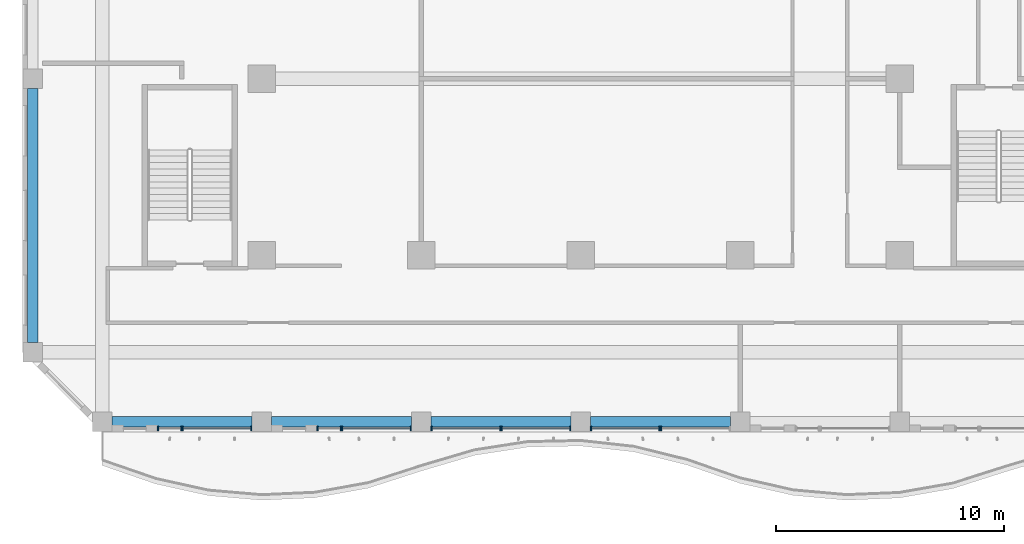
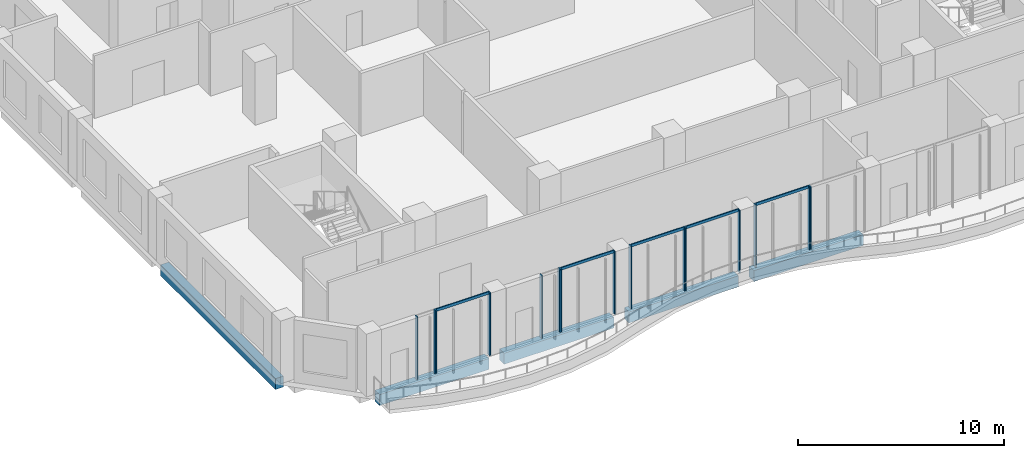
# One storey, part 2 of 26: 20 members, 5 beams, 8 elements without a shape of their own.
"""IFC4 building model written with IfcOpenShell, lengths in metres."""

from ifc_helpers import new_model, si_unit, direction, frame, origin, origin_2d, place, context, subcontext, project, spatial, rectangle, extrude, source, transform, mapped, material, material_profile, profile_set, type_object, element, aggregate, save


model = new_model("IFC4")

# Units and contexts
model_context = context("Model", 3, precision=1e-05, world=origin(), true_north=direction((0.0, 1.0)))
body_context = subcontext(model_context, "Body", "Model", "MODEL_VIEW")
ifc_project = project(units=[si_unit("LENGTHUNIT", "METRE"), si_unit("AREAUNIT", "SQUARE_METRE"), si_unit("VOLUMEUNIT", "CUBIC_METRE"), si_unit("PLANEANGLEUNIT", "RADIAN"), si_unit("MASSUNIT", "GRAM", prefix="KILO")], contexts=[model_context])

# Site, building, storey
site_placement = place(None, origin())
site = spatial("IfcSite", under=ifc_project, at=site_placement, CompositionType="ELEMENT")
building_placement = place(site_placement, origin())
building = spatial("IfcBuilding", under=site, at=building_placement, Name="Kilnfold Tower and Market Hall", CompositionType="ELEMENT")
storey_placement = place(building_placement, frame((0.0, 0.0, 104.60009765625)))
storey = spatial("IfcBuildingStorey", under=building, at=storey_placement, Name="L24", CompositionType="ELEMENT", Elevation=104.60009765625)

# Beams
ifc_material_1 = material(Name="Concrete C45", Category="concrete")
ifc_material_profile_1 = material_profile(ifc_material_1, rectangle(XDim=0.449951171875, YDim=0.64990234375, at=origin_2d()), Name="RC 450x650")
ifc_profile_set_1 = profile_set([ifc_material_profile_1], Name="Concrete C45")
beam_type = type_object("IfcBeamType", Name="EDGE BEAM 450X650 C45", PredefinedType="BEAM", material=ifc_profile_set_1)
shared_shape_1 = source(origin(), body_context, "Body", "SweptSolid", [
    extrude(rectangle(XDim=0.449951171875, YDim=0.64990234375, at=origin_2d()), origin(), (0.0, 0.0, 1.0), 6.14990234375),
])
for number, where, z_axis, x_axis, name in (
    (1, (-19.074951171875, -22.550048828125, -0.60498046875), (1.0, 0.0, 0.0), (0.0, 1.0, 0.0), "Beam EB650-B3.52"),
    (2, (-12.074951171875, -22.550048828125, -0.60498046875), (1.0, 0.0, 0.0), (0.0, 1.0, 0.0), "Beam EB650-B3.53"),
    (3, (-5.074951171875, -22.550048828125, -0.60498046875), (1.0, 0.0, 0.0), (0.0, 1.0, 0.0), "Beam EB650-B3.54"),
    (4, (1.925048828125, -22.550048828125, -0.60498046875), (1.0, 0.0, 0.0), (0.0, 1.0, 0.0), "Beam EB650-B3.55"),
):
    element("IfcBeam", number, at=place(storey_placement, frame(where, z_axis=z_axis, x_axis=x_axis)), inside=storey, type_object=beam_type, Name=name, PredefinedType="BEAM", context=body_context, shape_type="MappedRepresentation", body=[
        mapped(shared_shape_1, transform((0.0, 0.0, 0.0))),
    ])
shared_shape_2 = source(origin(), body_context, "Body", "SweptSolid", [
    extrude(rectangle(XDim=0.449951171875, YDim=0.64990234375, at=origin_2d()), origin(), (0.0, 0.0, 1.0), 11.14990234375),
])
beam_placement = place(storey_placement, frame((-22.550048828125, -19.074951171875, -0.60498046875), z_axis=(0.0, 1.0, 0.0), x_axis=(-1.0, 0.0, 0.0)))
element("IfcBeam", 5, at=beam_placement, inside=storey, type_object=beam_type, Name="Beam EB650-B3.74", PredefinedType="BEAM", context=body_context, shape_type="MappedRepresentation", body=[
    mapped(shared_shape_2, transform((0.0, 0.0, 0.0))),
])

# Curtain wall, members
ifc_material_2 = material(Name="Aluminium and double glazing", Category="aluminium")
curtain_wall_type = type_object("IfcCurtainWallType", Name="CW OF2 VALLEY GLAZING", PredefinedType="NOTDEFINED", material=ifc_material_2)
curtain_wall_1_placement = place(storey_placement, origin())
curtain_wall_1 = element("IfcCurtainWall", 6, at=curtain_wall_1_placement, inside=storey, type_object=curtain_wall_type, Name="Curtain wall CW2 L24 S", PredefinedType="NOTDEFINED")
ifc_material_3 = material(Name="Aluminium", Category="aluminium")
ifc_material_profile_2 = material_profile(ifc_material_3, rectangle(XDim=0.06005859375, YDim=0.199951171875, at=origin_2d()), Name="MULLION 60x200")
ifc_profile_set_2 = profile_set([ifc_material_profile_2], Name="Aluminium")
member_type_1 = type_object("IfcMemberType", Name="MULLION 60X200", PredefinedType="MULLION", material=ifc_profile_set_2)
shared_shape_3 = source(origin(), body_context, "Body", "SweptSolid", [
    extrude(rectangle(XDim=0.06005859375, YDim=0.199951171875, at=origin_2d()), origin(), (0.0, 0.0, 1.0), 3.719970703125),
])
member_1_placement = place(storey_placement, frame((-17.044921875, -22.85009765625, 0.0), z_axis=(0.0, 0.0, 1.0), x_axis=(1.0, 0.0, 0.0)))
member_1 = element("IfcMember", 7, at=member_1_placement, type_object=member_type_1, Name="CW2 mullion 1", PredefinedType="MULLION", context=body_context, shape_type="MappedRepresentation", body=[
    mapped(shared_shape_3, transform((0.0, 0.0, 0.0))),
])
member_2_placement = place(storey_placement, frame((-16.030029296875, -22.85009765625, 0.0), z_axis=(0.0, 0.0, 1.0), x_axis=(1.0, 0.0, 0.0)))
member_2 = element("IfcMember", 8, at=member_2_placement, type_object=member_type_1, Name="CW2 mullion 2", PredefinedType="MULLION", context=body_context, shape_type="MappedRepresentation", body=[
    mapped(shared_shape_3, transform((0.0, 0.0, 0.0))),
])
aggregate(curtain_wall_1, [member_1, member_2])

curtain_wall_2_placement = place(storey_placement, origin())
curtain_wall_2 = element("IfcCurtainWall", 9, at=curtain_wall_2_placement, inside=storey, type_object=curtain_wall_type, Name="Curtain wall CW2 L24 S", PredefinedType="NOTDEFINED")
member_3_placement = place(storey_placement, frame((-15.969970703125, -22.85009765625, 0.0), z_axis=(0.0, 0.0, 1.0), x_axis=(1.0, 0.0, 0.0)))
member_3 = element("IfcMember", 10, at=member_3_placement, type_object=member_type_1, Name="CW2 mullion 1", PredefinedType="MULLION", context=body_context, shape_type="MappedRepresentation", body=[
    mapped(shared_shape_3, transform((0.0, 0.0, 0.0))),
])
member_4_placement = place(storey_placement, frame((-12.955078125, -22.85009765625, 0.0), z_axis=(0.0, 0.0, 1.0), x_axis=(1.0, 0.0, 0.0)))
member_4 = element("IfcMember", 11, at=member_4_placement, type_object=member_type_1, Name="CW2 mullion 2", PredefinedType="MULLION", context=body_context, shape_type="MappedRepresentation", body=[
    mapped(shared_shape_3, transform((0.0, 0.0, 0.0))),
])

curtain_wall_3_placement = place(storey_placement, origin())
curtain_wall_3 = element("IfcCurtainWall", 12, at=curtain_wall_3_placement, inside=storey, type_object=curtain_wall_type, Name="Curtain wall CW2 L24 S", PredefinedType="NOTDEFINED")
member_5_placement = place(storey_placement, frame((-10.044921875, -22.85009765625, 0.0), z_axis=(0.0, 0.0, 1.0), x_axis=(1.0, 0.0, 0.0)))
member_5 = element("IfcMember", 13, at=member_5_placement, type_object=member_type_1, Name="CW2 mullion 1", PredefinedType="MULLION", context=body_context, shape_type="MappedRepresentation", body=[
    mapped(shared_shape_3, transform((0.0, 0.0, 0.0))),
])
member_6_placement = place(storey_placement, frame((-9.030029296875, -22.85009765625, 0.0), z_axis=(0.0, 0.0, 1.0), x_axis=(1.0, 0.0, 0.0)))
member_6 = element("IfcMember", 14, at=member_6_placement, type_object=member_type_1, Name="CW2 mullion 2", PredefinedType="MULLION", context=body_context, shape_type="MappedRepresentation", body=[
    mapped(shared_shape_3, transform((0.0, 0.0, 0.0))),
])
aggregate(curtain_wall_3, [member_5, member_6])

curtain_wall_4_placement = place(storey_placement, origin())
curtain_wall_4 = element("IfcCurtainWall", 15, at=curtain_wall_4_placement, inside=storey, type_object=curtain_wall_type, Name="Curtain wall CW2 L24 S", PredefinedType="NOTDEFINED")
member_7_placement = place(storey_placement, frame((-8.969970703125, -22.85009765625, 0.0), z_axis=(0.0, 0.0, 1.0), x_axis=(1.0, 0.0, 0.0)))
member_7 = element("IfcMember", 16, at=member_7_placement, type_object=member_type_1, Name="CW2 mullion 1", PredefinedType="MULLION", context=body_context, shape_type="MappedRepresentation", body=[
    mapped(shared_shape_3, transform((0.0, 0.0, 0.0))),
])
member_8_placement = place(storey_placement, frame((-5.955078125, -22.85009765625, 0.0), z_axis=(0.0, 0.0, 1.0), x_axis=(1.0, 0.0, 0.0)))
member_8 = element("IfcMember", 17, at=member_8_placement, type_object=member_type_1, Name="CW2 mullion 2", PredefinedType="MULLION", context=body_context, shape_type="MappedRepresentation", body=[
    mapped(shared_shape_3, transform((0.0, 0.0, 0.0))),
])

curtain_wall_5_placement = place(storey_placement, origin())
curtain_wall_5 = element("IfcCurtainWall", 18, at=curtain_wall_5_placement, inside=storey, type_object=curtain_wall_type, Name="Curtain wall CW2 L24 S", PredefinedType="NOTDEFINED")
member_9_placement = place(storey_placement, frame((-5.044921875, -22.85009765625, 0.0), z_axis=(0.0, 0.0, 1.0), x_axis=(1.0, 0.0, 0.0)))
member_9 = element("IfcMember", 19, at=member_9_placement, type_object=member_type_1, Name="CW2 mullion 1", PredefinedType="MULLION", context=body_context, shape_type="MappedRepresentation", body=[
    mapped(shared_shape_3, transform((0.0, 0.0, 0.0))),
])
member_10_placement = place(storey_placement, frame((-2.030029296875, -22.85009765625, 0.0), z_axis=(0.0, 0.0, 1.0), x_axis=(1.0, 0.0, 0.0)))
member_10 = element("IfcMember", 20, at=member_10_placement, type_object=member_type_1, Name="CW2 mullion 2", PredefinedType="MULLION", context=body_context, shape_type="MappedRepresentation", body=[
    mapped(shared_shape_3, transform((0.0, 0.0, 0.0))),
])

curtain_wall_6_placement = place(storey_placement, origin())
curtain_wall_6 = element("IfcCurtainWall", 21, at=curtain_wall_6_placement, inside=storey, type_object=curtain_wall_type, Name="Curtain wall CW2 L24 S", PredefinedType="NOTDEFINED")
member_11_placement = place(storey_placement, frame((-1.969970703125, -22.85009765625, 0.0), z_axis=(0.0, 0.0, 1.0), x_axis=(1.0, 0.0, 0.0)))
member_11 = element("IfcMember", 22, at=member_11_placement, type_object=member_type_1, Name="CW2 mullion 1", PredefinedType="MULLION", context=body_context, shape_type="MappedRepresentation", body=[
    mapped(shared_shape_3, transform((0.0, 0.0, 0.0))),
])
member_12_placement = place(storey_placement, frame((1.044921875, -22.85009765625, 0.0), z_axis=(0.0, 0.0, 1.0), x_axis=(1.0, 0.0, 0.0)))
member_12 = element("IfcMember", 23, at=member_12_placement, type_object=member_type_1, Name="CW2 mullion 2", PredefinedType="MULLION", context=body_context, shape_type="MappedRepresentation", body=[
    mapped(shared_shape_3, transform((0.0, 0.0, 0.0))),
])

curtain_wall_7_placement = place(storey_placement, origin())
curtain_wall_7 = element("IfcCurtainWall", 24, at=curtain_wall_7_placement, inside=storey, type_object=curtain_wall_type, Name="Curtain wall CW2 L24 S", PredefinedType="NOTDEFINED")
member_13_placement = place(storey_placement, frame((1.955078125, -22.85009765625, 0.0), z_axis=(0.0, 0.0, 1.0), x_axis=(1.0, 0.0, 0.0)))
member_13 = element("IfcMember", 25, at=member_13_placement, type_object=member_type_1, Name="CW2 mullion 1", PredefinedType="MULLION", context=body_context, shape_type="MappedRepresentation", body=[
    mapped(shared_shape_3, transform((0.0, 0.0, 0.0))),
])
member_14_placement = place(storey_placement, frame((4.969970703125, -22.85009765625, 0.0), z_axis=(0.0, 0.0, 1.0), x_axis=(1.0, 0.0, 0.0)))
member_14 = element("IfcMember", 26, at=member_14_placement, type_object=member_type_1, Name="CW2 mullion 2", PredefinedType="MULLION", context=body_context, shape_type="MappedRepresentation", body=[
    mapped(shared_shape_3, transform((0.0, 0.0, 0.0))),
])

# Curtain wall, member
curtain_wall_8_placement = place(storey_placement, origin())
curtain_wall_8 = element("IfcCurtainWall", 27, at=curtain_wall_8_placement, inside=storey, type_object=curtain_wall_type, Name="Curtain wall CW2 L24 S", PredefinedType="NOTDEFINED")
member_15_placement = place(storey_placement, frame((5.030029296875, -22.85009765625, 0.0), z_axis=(0.0, 0.0, 1.0), x_axis=(1.0, 0.0, 0.0)))
member_15 = element("IfcMember", 28, at=member_15_placement, type_object=member_type_1, Name="CW2 mullion 1", PredefinedType="MULLION", context=body_context, shape_type="MappedRepresentation", body=[
    mapped(shared_shape_3, transform((0.0, 0.0, 0.0))),
])
aggregate(curtain_wall_8, [member_15])

# Member
ifc_material_4 = material(Name="Aluminium", Category="aluminium")
ifc_material_profile_3 = material_profile(ifc_material_4, rectangle(XDim=0.06005859375, YDim=0.159912109375, at=origin_2d()), Name="TRANSOM 60x160")
ifc_profile_set_3 = profile_set([ifc_material_profile_3], Name="Aluminium")
member_type_2 = type_object("IfcMemberType", Name="TRANSOM 60X160", PredefinedType="USERDEFINED", material=ifc_profile_set_3)
shared_shape_4 = source(origin(), body_context, "Body", "SweptSolid", [
    extrude(rectangle(XDim=0.06005859375, YDim=0.159912109375, at=origin_2d()), origin(), (0.0, 0.0, 1.0), 2.954833984375),
])
member_16_placement = place(storey_placement, frame((-15.93994140625, -22.85009765625, 3.68994140625), z_axis=(1.0, 0.0, 0.0), x_axis=(0.0, 1.0, 0.0)))
member_16 = element("IfcMember", 29, at=member_16_placement, type_object=member_type_2, Name="CW2 transom 1.2", ObjectType="TRANSOM", PredefinedType="USERDEFINED", context=body_context, shape_type="MappedRepresentation", body=[
    mapped(shared_shape_4, transform((0.0, 0.0, 0.0))),
])

aggregate(curtain_wall_2, [member_3, member_4, member_16])

member_17_placement = place(storey_placement, frame((-8.93994140625, -22.85009765625, 3.68994140625), z_axis=(1.0, 0.0, 0.0), x_axis=(0.0, 1.0, 0.0)))
member_17 = element("IfcMember", 30, at=member_17_placement, type_object=member_type_2, Name="CW2 transom 1.2", ObjectType="TRANSOM", PredefinedType="USERDEFINED", context=body_context, shape_type="MappedRepresentation", body=[
    mapped(shared_shape_4, transform((0.0, 0.0, 0.0))),
])

aggregate(curtain_wall_4, [member_7, member_8, member_17])

member_18_placement = place(storey_placement, frame((-5.014892578125, -22.85009765625, 3.68994140625), z_axis=(1.0, 0.0, 0.0), x_axis=(0.0, 1.0, 0.0)))
member_18 = element("IfcMember", 31, at=member_18_placement, type_object=member_type_2, Name="CW2 transom 1.2", ObjectType="TRANSOM", PredefinedType="USERDEFINED", context=body_context, shape_type="MappedRepresentation", body=[
    mapped(shared_shape_4, transform((0.0, 0.0, 0.0))),
])

aggregate(curtain_wall_5, [member_9, member_10, member_18])

member_19_placement = place(storey_placement, frame((-1.93994140625, -22.85009765625, 3.68994140625), z_axis=(1.0, 0.0, 0.0), x_axis=(0.0, 1.0, 0.0)))
member_19 = element("IfcMember", 32, at=member_19_placement, type_object=member_type_2, Name="CW2 transom 1.2", ObjectType="TRANSOM", PredefinedType="USERDEFINED", context=body_context, shape_type="MappedRepresentation", body=[
    mapped(shared_shape_4, transform((0.0, 0.0, 0.0))),
])

aggregate(curtain_wall_6, [member_11, member_12, member_19])

member_20_placement = place(storey_placement, frame((1.985107421875, -22.85009765625, 3.68994140625), z_axis=(1.0, 0.0, 0.0), x_axis=(0.0, 1.0, 0.0)))
member_20 = element("IfcMember", 33, at=member_20_placement, type_object=member_type_2, Name="CW2 transom 1.2", ObjectType="TRANSOM", PredefinedType="USERDEFINED", context=body_context, shape_type="MappedRepresentation", body=[
    mapped(shared_shape_4, transform((0.0, 0.0, 0.0))),
])

aggregate(curtain_wall_7, [member_13, member_14, member_20])

save(model, "model.ifc")
